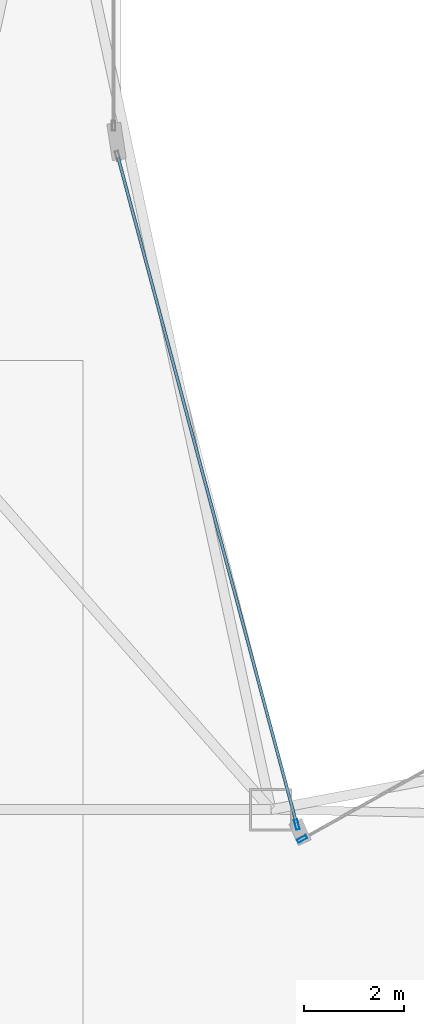
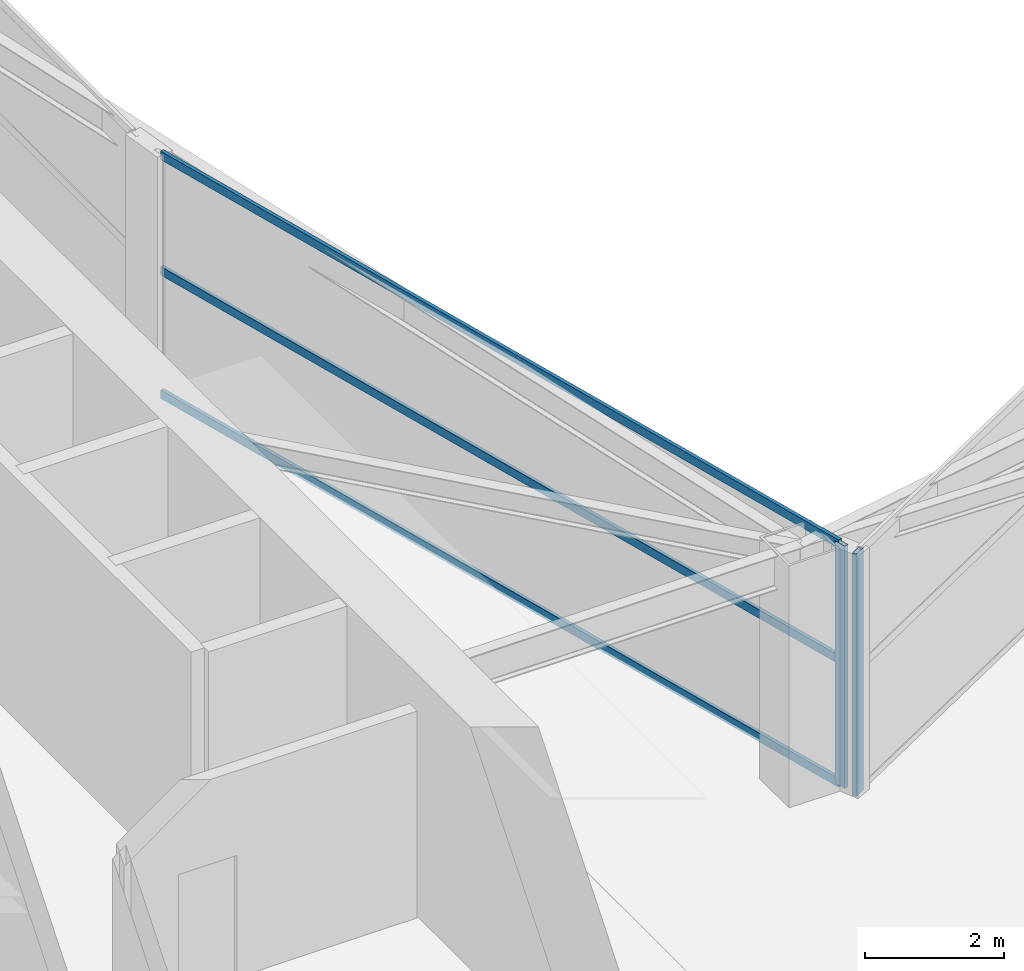
# One storey, part 9 of 26: 5 members, 2 elements without a shape of their own.
"""IFC4 building model written with IfcOpenShell, lengths in metres."""

from ifc_helpers import new_model, si_unit, direction, frame, origin, origin_2d, place, context, subcontext, project, spatial, hollow_rectangle, extrude, material, layer, layer_set, material_profile, profile_set, type_object, element, aggregate, save


model = new_model("IFC4")

# Units and contexts
model_context = context("Model", 3, precision=1e-05, world=origin(), true_north=direction((0.0, 1.0)))
body_context = subcontext(model_context, "Body", "Model", "MODEL_VIEW")
ifc_project = project(units=[si_unit("LENGTHUNIT", "METRE"), si_unit("AREAUNIT", "SQUARE_METRE"), si_unit("VOLUMEUNIT", "CUBIC_METRE"), si_unit("PLANEANGLEUNIT", "RADIAN"), si_unit("MASSUNIT", "GRAM", prefix="KILO")], contexts=[model_context])

# Site, building, storey
site_placement = place(None, origin())
site = spatial("IfcSite", under=ifc_project, at=site_placement, CompositionType="ELEMENT")
building_placement = place(site_placement, origin())
building = spatial("IfcBuilding", under=site, at=building_placement, Name="Calvorn Quay Hotel", CompositionType="ELEMENT")
storey_placement = place(building_placement, frame((0.0, 0.0, 144.0)))
storey = spatial("IfcBuildingStorey", under=building, at=storey_placement, Name="L35", CompositionType="ELEMENT", Elevation=144.0)

# Curtain wall, member
ifc_material_1 = material(Name="Pale Anodised Aluminium and Low-E Glass", Category="aluminium")
ifc_layer = layer(ifc_material_1, 0.219970703125)
ifc_layer_set = layer_set([ifc_layer], Name="CW-SYS-Z2")
curtain_wall_type = type_object("IfcCurtainWallType", Name="CW-SYS-Z2", PredefinedType="NOTDEFINED", material=ifc_layer_set)
curtain_wall_1_placement = place(storey_placement, origin())
curtain_wall_1 = element("IfcCurtainWall", 1, at=curtain_wall_1_placement, inside=storey, type_object=curtain_wall_type, Name="Inner Court Curtain Wall L35-NE1", PredefinedType="NOTDEFINED")
ifc_material_2 = material(Name="Pale Anodised Aluminium 6063-T6", Category="aluminium")
ifc_material_profile_1 = material_profile(ifc_material_2, hollow_rectangle(XDim=0.070068359375, YDim=0.199951171875, WallThickness=0.00390625, at=origin_2d()), Name="ALU-M200x70x4")
ifc_profile_set_1 = profile_set([ifc_material_profile_1], Name="Pale Anodised Aluminium 6063-T6")
member_type_1 = type_object("IfcMemberType", Name="CW-SYS-Z2-MUL", PredefinedType="MULLION", material=ifc_profile_set_1)
member_1_placement = place(storey_placement, frame((21.626220703125, 24.41455078125, 0.0), z_axis=(0.0, 0.0, 1.0), x_axis=(0.486858256224, -0.873480989116, 0.0)))
member_1 = element("IfcMember", 2, at=member_1_placement, type_object=member_type_1, Name="CW-L35-NE1 mullion 4", PredefinedType="MULLION", context=body_context, shape_type="SweptSolid", body=[
    extrude(hollow_rectangle(XDim=0.070068359375, YDim=0.199951171875, WallThickness=0.00390625, at=origin_2d()), origin(), (0.0, 0.0, 1.0), 4.260009765625),
])
aggregate(curtain_wall_1, [member_1])

# Curtain wall, members
curtain_wall_2_placement = place(storey_placement, origin())
curtain_wall_2 = element("IfcCurtainWall", 3, at=curtain_wall_2_placement, inside=storey, type_object=curtain_wall_type, Name="Inner Court Curtain Wall L35-IC1", PredefinedType="NOTDEFINED")
member_2_placement = place(storey_placement, frame((21.520263671875, 24.698974609375, 0.0), z_axis=(0.0, 0.0, 1.0), x_axis=(-0.96593652056, -0.25877913024, 0.0)))
member_2 = element("IfcMember", 4, at=member_2_placement, type_object=member_type_1, Name="CW-L35-IC1 mullion 1", PredefinedType="MULLION", context=body_context, shape_type="SweptSolid", body=[
    extrude(hollow_rectangle(XDim=0.070068359375, YDim=0.199951171875, WallThickness=0.00390625, at=origin_2d()), origin(), (0.0, 0.0, 1.0), 4.260009765625),
])
ifc_material_3 = material(Name="Pale Anodised Aluminium 6063-T6", Category="aluminium")
ifc_material_profile_2 = material_profile(ifc_material_3, hollow_rectangle(XDim=0.06005859375, YDim=0.14990234375, WallThickness=0.00341796875, at=origin_2d()), Name="ALU-T150x60x3.5")
ifc_profile_set_2 = profile_set([ifc_material_profile_2], Name="Pale Anodised Aluminium 6063-T6")
member_type_2 = type_object("IfcMemberType", Name="CW-SYS-Z2-TRN", PredefinedType="USERDEFINED", material=ifc_profile_set_2)
member_3_placement = place(storey_placement, frame((21.512451171875, 24.72802734375, 0.030029296875), z_axis=(-0.258781136883, 0.965935982969, 0.0), x_axis=(-0.965935982969, -0.258781136883, 0.0)))
member_3 = element("IfcMember", 5, at=member_3_placement, type_object=member_type_2, Name="CW-L35-IC1 transom 1.1", ObjectType="TRANSOM", PredefinedType="USERDEFINED", context=body_context, shape_type="SweptSolid", body=[
    extrude(hollow_rectangle(XDim=0.06005859375, YDim=0.14990234375, WallThickness=0.00341796875, at=origin_2d()), origin(), (0.0, 0.0, 1.0), 13.814453125),
])
member_4_placement = place(storey_placement, frame((21.512451171875, 24.72802734375, 2.199951171875), z_axis=(-0.258781136883, 0.965935982969, 0.0), x_axis=(-0.965935982969, -0.258781136883, 0.0)))
member_4 = element("IfcMember", 6, at=member_4_placement, type_object=member_type_2, Name="CW-L35-IC1 transom 1.2", ObjectType="TRANSOM", PredefinedType="USERDEFINED", context=body_context, shape_type="SweptSolid", body=[
    extrude(hollow_rectangle(XDim=0.06005859375, YDim=0.14990234375, WallThickness=0.00341796875, at=origin_2d()), origin(), (0.0, 0.0, 1.0), 13.814453125),
])
member_5_placement = place(storey_placement, frame((21.512451171875, 24.72802734375, 4.22998046875), z_axis=(-0.258781136883, 0.965935982969, 0.0), x_axis=(-0.965935982969, -0.258781136883, 0.0)))
member_5 = element("IfcMember", 7, at=member_5_placement, type_object=member_type_2, Name="CW-L35-IC1 transom 1.3", ObjectType="TRANSOM", PredefinedType="USERDEFINED", context=body_context, shape_type="SweptSolid", body=[
    extrude(hollow_rectangle(XDim=0.06005859375, YDim=0.14990234375, WallThickness=0.00341796875, at=origin_2d()), origin(), (0.0, 0.0, 1.0), 13.814453125),
])
aggregate(curtain_wall_2, [member_2, member_3, member_4, member_5])

save(model, "model.ifc")
